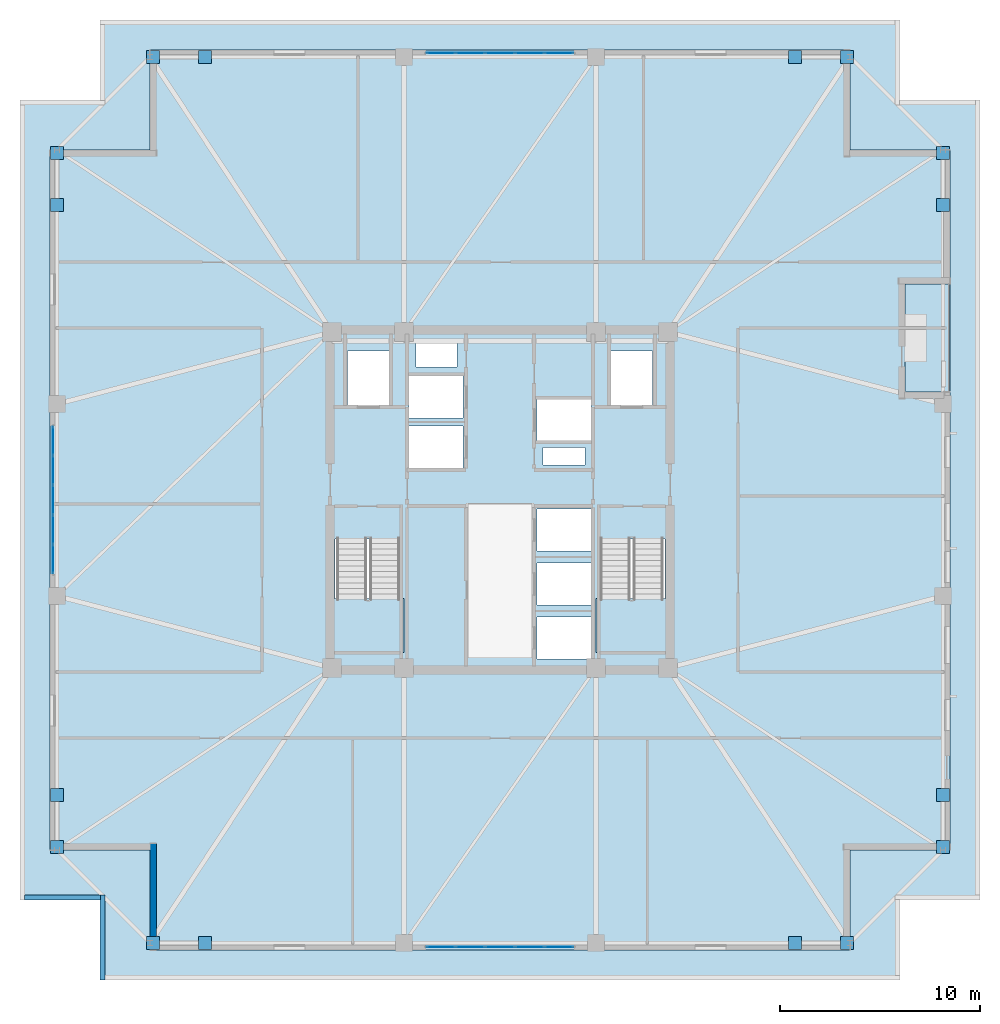
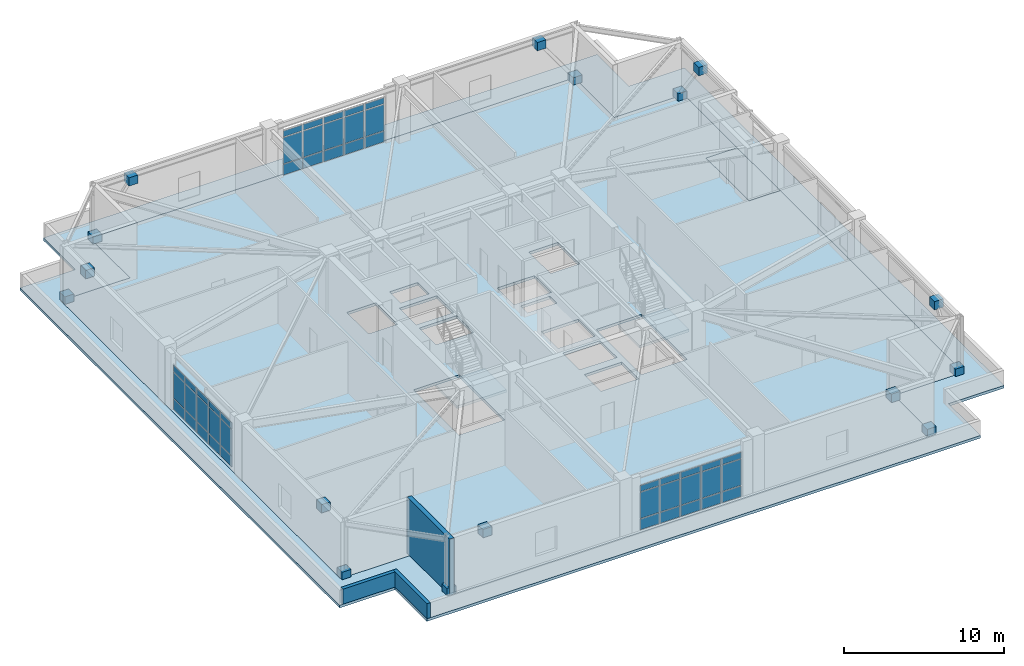
# One storey, part 10 of 18: 61 plates, 5 slabs, 3 walls, 5 elements without a shape of their own.
"""IFC4 building model written with IfcOpenShell, lengths in metres."""

from ifc_helpers import new_model, si_unit, direction, frame, frame_2d, origin, origin_2d, place, context, subcontext, project, spatial, polyline, rectangle, outline, extrude, material, layer, layer_set, type_object, element, aggregate, save


model = new_model("IFC4")

# Units and contexts
model_context = context("Model", 3, precision=1e-05, world=origin(), true_north=direction((0.0, 1.0)))
body_context = subcontext(model_context, "Body", "Model", "MODEL_VIEW")
ifc_project = project(units=[si_unit("LENGTHUNIT", "METRE"), si_unit("AREAUNIT", "SQUARE_METRE"), si_unit("VOLUMEUNIT", "CUBIC_METRE"), si_unit("PLANEANGLEUNIT", "RADIAN"), si_unit("MASSUNIT", "GRAM", prefix="KILO")], contexts=[model_context])

# Site, building, storey
site_placement = place(None, origin())
site = spatial("IfcSite", under=ifc_project, at=site_placement, CompositionType="ELEMENT")
building_placement = place(site_placement, origin())
building = spatial("IfcBuilding", under=site, at=building_placement, Name="Cairnveth Concourse Tower", CompositionType="ELEMENT")
storey_placement = place(building_placement, frame((0.0, 0.0, 198.0)))
storey = spatial("IfcBuildingStorey", under=building, at=storey_placement, Name="L54", CompositionType="ELEMENT", Elevation=198.0)

# Curtain wall, plates
ifc_material_1 = material(Name="Architectural Bronze Anodised Aluminium 6063-T6", Category="aluminium")
ifc_layer_1 = layer(ifc_material_1, 0.320068359375)
ifc_layer_set_1 = layer_set([ifc_layer_1], Name="Architectural Bronze Anodised Aluminium 6063-T6")
curtain_wall_type = type_object("IfcCurtainWallType", Name="SKY LOBBY WINTERGARDEN CURTAIN WALL", PredefinedType="USERDEFINED", material=ifc_layer_set_1)
curtain_wall_1_placement = place(storey_placement, origin())
curtain_wall_1 = element("IfcCurtainWall", 1, at=curtain_wall_1_placement, inside=storey, type_object=curtain_wall_type, Name="Curtain Wall CW-L54-F3", ObjectType="UNITISED FACADE", PredefinedType="USERDEFINED")
ifc_material_2 = material(Name="Double Glazed Low-E Clear Glass", Category="glass")
ifc_layer_2 = layer(ifc_material_2, 0.028076171875)
ifc_layer_set_2 = layer_set([ifc_layer_2], Name="Double Glazed Low-E Clear Glass")
plate_type_1 = type_object("IfcPlateType", Name="DOUBLE GLAZED LOW-E CURTAIN PANEL 28", PredefinedType="CURTAIN_PANEL", material=ifc_layer_set_2)
plate_1_placement = place(storey_placement, frame((54.955810546875, 16.659912109375, 0.06494140625), z_axis=(0.0, 0.0, 1.0), x_axis=(-1.0, 0.0, 0.0)))
plate_1 = element("IfcPlate", 2, at=plate_1_placement, type_object=plate_type_1, Name="CWS4 panel 1.1", PredefinedType="CURTAIN_PANEL", context=body_context, shape_type="SweptSolid", body=[
    extrude(rectangle(XDim=1.388427734375, YDim=0.028076171875, at=origin_2d()), origin(), (0.0, 0.0, 1.0), 0.802490234375),
])
plate_2_placement = place(storey_placement, frame((54.955810546875, 16.659912109375, 0.9326171875), z_axis=(0.0, 0.0, 1.0), x_axis=(-1.0, 0.0, 0.0)))
plate_2 = element("IfcPlate", 3, at=plate_2_placement, type_object=plate_type_1, Name="CWS4 panel 1.2", PredefinedType="CURTAIN_PANEL", context=body_context, shape_type="SweptSolid", body=[
    extrude(rectangle(XDim=1.388427734375, YDim=0.028076171875, at=origin_2d()), origin(), (0.0, 0.0, 1.0), 1.98291015625),
])
plate_3_placement = place(storey_placement, frame((54.955810546875, 16.659912109375, 2.98046875), z_axis=(0.0, 0.0, 1.0), x_axis=(-1.0, 0.0, 0.0)))
plate_3 = element("IfcPlate", 4, at=plate_3_placement, type_object=plate_type_1, Name="CWS4 panel 1.3", PredefinedType="CURTAIN_PANEL", context=body_context, shape_type="SweptSolid", body=[
    extrude(rectangle(XDim=1.388427734375, YDim=0.028076171875, at=origin_2d()), origin(), (0.0, 0.0, 1.0), 0.452392578125),
])
plate_4_placement = place(storey_placement, frame((53.486083984375, 16.659912109375, 0.06494140625), z_axis=(0.0, 0.0, 1.0), x_axis=(-1.0, 0.0, 0.0)))
plate_4 = element("IfcPlate", 5, at=plate_4_placement, type_object=plate_type_1, Name="CWS4 panel 2.1", PredefinedType="CURTAIN_PANEL", context=body_context, shape_type="SweptSolid", body=[
    extrude(rectangle(XDim=1.4208984375, YDim=0.028076171875, at=origin_2d()), origin(), (0.0, 0.0, 1.0), 0.802490234375),
])
plate_5_placement = place(storey_placement, frame((53.486083984375, 16.659912109375, 0.9326171875), z_axis=(0.0, 0.0, 1.0), x_axis=(-1.0, 0.0, 0.0)))
plate_5 = element("IfcPlate", 6, at=plate_5_placement, type_object=plate_type_1, Name="CWS4 panel 2.2", PredefinedType="CURTAIN_PANEL", context=body_context, shape_type="SweptSolid", body=[
    extrude(rectangle(XDim=1.4208984375, YDim=0.028076171875, at=origin_2d()), origin(), (0.0, 0.0, 1.0), 1.98291015625),
])
plate_6_placement = place(storey_placement, frame((53.486083984375, 16.659912109375, 2.98046875), z_axis=(0.0, 0.0, 1.0), x_axis=(-1.0, 0.0, 0.0)))
plate_6 = element("IfcPlate", 7, at=plate_6_placement, type_object=plate_type_1, Name="CWS4 panel 2.3", PredefinedType="CURTAIN_PANEL", context=body_context, shape_type="SweptSolid", body=[
    extrude(rectangle(XDim=1.4208984375, YDim=0.028076171875, at=origin_2d()), origin(), (0.0, 0.0, 1.0), 0.452392578125),
])
plate_7_placement = place(storey_placement, frame((52.0, 16.659912109375, 0.06494140625), z_axis=(0.0, 0.0, 1.0), x_axis=(-1.0, 0.0, 0.0)))
plate_7 = element("IfcPlate", 8, at=plate_7_placement, type_object=plate_type_1, Name="CWS4 panel 3.1", PredefinedType="CURTAIN_PANEL", context=body_context, shape_type="SweptSolid", body=[
    extrude(rectangle(XDim=1.4208984375, YDim=0.028076171875, at=origin_2d()), origin(), (0.0, 0.0, 1.0), 0.802490234375),
])
plate_8_placement = place(storey_placement, frame((52.0, 16.659912109375, 0.9326171875), z_axis=(0.0, 0.0, 1.0), x_axis=(-1.0, 0.0, 0.0)))
plate_8 = element("IfcPlate", 9, at=plate_8_placement, type_object=plate_type_1, Name="CWS4 panel 3.2", PredefinedType="CURTAIN_PANEL", context=body_context, shape_type="SweptSolid", body=[
    extrude(rectangle(XDim=1.4208984375, YDim=0.028076171875, at=origin_2d()), origin(), (0.0, 0.0, 1.0), 1.98291015625),
])
plate_9_placement = place(storey_placement, frame((52.0, 16.659912109375, 2.98046875), z_axis=(0.0, 0.0, 1.0), x_axis=(-1.0, 0.0, 0.0)))
plate_9 = element("IfcPlate", 10, at=plate_9_placement, type_object=plate_type_1, Name="CWS4 panel 3.3", PredefinedType="CURTAIN_PANEL", context=body_context, shape_type="SweptSolid", body=[
    extrude(rectangle(XDim=1.4208984375, YDim=0.028076171875, at=origin_2d()), origin(), (0.0, 0.0, 1.0), 0.452392578125),
])
plate_10_placement = place(storey_placement, frame((50.513916015625, 16.659912109375, 0.06494140625), z_axis=(0.0, 0.0, 1.0), x_axis=(-1.0, 0.0, 0.0)))
plate_10 = element("IfcPlate", 11, at=plate_10_placement, type_object=plate_type_1, Name="CWS4 panel 4.1", PredefinedType="CURTAIN_PANEL", context=body_context, shape_type="SweptSolid", body=[
    extrude(rectangle(XDim=1.4208984375, YDim=0.028076171875, at=origin_2d()), origin(), (0.0, 0.0, 1.0), 0.802490234375),
])
plate_11_placement = place(storey_placement, frame((50.513916015625, 16.659912109375, 0.9326171875), z_axis=(0.0, 0.0, 1.0), x_axis=(-1.0, 0.0, 0.0)))
plate_11 = element("IfcPlate", 12, at=plate_11_placement, type_object=plate_type_1, Name="CWS4 panel 4.2", PredefinedType="CURTAIN_PANEL", context=body_context, shape_type="SweptSolid", body=[
    extrude(rectangle(XDim=1.4208984375, YDim=0.028076171875, at=origin_2d()), origin(), (0.0, 0.0, 1.0), 1.98291015625),
])
plate_12_placement = place(storey_placement, frame((50.513916015625, 16.659912109375, 2.98046875), z_axis=(0.0, 0.0, 1.0), x_axis=(-1.0, 0.0, 0.0)))
plate_12 = element("IfcPlate", 13, at=plate_12_placement, type_object=plate_type_1, Name="CWS4 panel 4.3", PredefinedType="CURTAIN_PANEL", context=body_context, shape_type="SweptSolid", body=[
    extrude(rectangle(XDim=1.4208984375, YDim=0.028076171875, at=origin_2d()), origin(), (0.0, 0.0, 1.0), 0.452392578125),
])
plate_13_placement = place(storey_placement, frame((49.044189453125, 16.659912109375, 0.06494140625), z_axis=(0.0, 0.0, 1.0), x_axis=(-1.0, 0.0, 0.0)))
plate_13 = element("IfcPlate", 14, at=plate_13_placement, type_object=plate_type_1, Name="CWS4 panel 5.1", PredefinedType="CURTAIN_PANEL", context=body_context, shape_type="SweptSolid", body=[
    extrude(rectangle(XDim=1.388427734375, YDim=0.028076171875, at=origin_2d()), origin(), (0.0, 0.0, 1.0), 0.802490234375),
])
plate_14_placement = place(storey_placement, frame((49.044189453125, 16.659912109375, 0.9326171875), z_axis=(0.0, 0.0, 1.0), x_axis=(-1.0, 0.0, 0.0)))
plate_14 = element("IfcPlate", 15, at=plate_14_placement, type_object=plate_type_1, Name="CWS4 panel 5.2", PredefinedType="CURTAIN_PANEL", context=body_context, shape_type="SweptSolid", body=[
    extrude(rectangle(XDim=1.388427734375, YDim=0.028076171875, at=origin_2d()), origin(), (0.0, 0.0, 1.0), 1.98291015625),
])
plate_15_placement = place(storey_placement, frame((49.044189453125, 16.659912109375, 2.98046875), z_axis=(0.0, 0.0, 1.0), x_axis=(-1.0, 0.0, 0.0)))
plate_15 = element("IfcPlate", 16, at=plate_15_placement, type_object=plate_type_1, Name="CWS4 panel 5.3", PredefinedType="CURTAIN_PANEL", context=body_context, shape_type="SweptSolid", body=[
    extrude(rectangle(XDim=1.388427734375, YDim=0.028076171875, at=origin_2d()), origin(), (0.0, 0.0, 1.0), 0.452392578125),
])
aggregate(curtain_wall_1, [plate_1, plate_2, plate_3, plate_4, plate_5, plate_6, plate_7, plate_8, plate_9, plate_10, plate_11, plate_12, plate_13, plate_14, plate_15])

curtain_wall_2_placement = place(storey_placement, origin())
curtain_wall_2 = element("IfcCurtainWall", 17, at=curtain_wall_2_placement, inside=storey, type_object=curtain_wall_type, Name="Curtain Wall CW-L54-F6", ObjectType="UNITISED FACADE", PredefinedType="USERDEFINED")
plate_16_placement = place(storey_placement, frame((29.659912109375, 36.044189453125, 0.06494140625), z_axis=(0.0, 0.0, 1.0), x_axis=(0.0, 1.0, 0.0)))
plate_16 = element("IfcPlate", 18, at=plate_16_placement, type_object=plate_type_1, Name="CWS4 panel 1.1", PredefinedType="CURTAIN_PANEL", context=body_context, shape_type="SweptSolid", body=[
    extrude(rectangle(XDim=1.388427734375, YDim=0.028076171875, at=origin_2d()), origin(), (0.0, 0.0, 1.0), 0.802490234375),
])
plate_17_placement = place(storey_placement, frame((29.659912109375, 36.044189453125, 0.9326171875), z_axis=(0.0, 0.0, 1.0), x_axis=(0.0, 1.0, 0.0)))
plate_17 = element("IfcPlate", 19, at=plate_17_placement, type_object=plate_type_1, Name="CWS4 panel 1.2", PredefinedType="CURTAIN_PANEL", context=body_context, shape_type="SweptSolid", body=[
    extrude(rectangle(XDim=1.388427734375, YDim=0.028076171875, at=origin_2d()), origin(), (0.0, 0.0, 1.0), 1.98291015625),
])
plate_18_placement = place(storey_placement, frame((29.659912109375, 36.044189453125, 2.98046875), z_axis=(0.0, 0.0, 1.0), x_axis=(0.0, 1.0, 0.0)))
plate_18 = element("IfcPlate", 20, at=plate_18_placement, type_object=plate_type_1, Name="CWS4 panel 1.3", PredefinedType="CURTAIN_PANEL", context=body_context, shape_type="SweptSolid", body=[
    extrude(rectangle(XDim=1.388427734375, YDim=0.028076171875, at=origin_2d()), origin(), (0.0, 0.0, 1.0), 0.452392578125),
])
plate_19_placement = place(storey_placement, frame((29.659912109375, 37.513916015625, 0.06494140625), z_axis=(0.0, 0.0, 1.0), x_axis=(0.0, 1.0, 0.0)))
plate_19 = element("IfcPlate", 21, at=plate_19_placement, type_object=plate_type_1, Name="CWS4 panel 2.1", PredefinedType="CURTAIN_PANEL", context=body_context, shape_type="SweptSolid", body=[
    extrude(rectangle(XDim=1.4208984375, YDim=0.028076171875, at=origin_2d()), origin(), (0.0, 0.0, 1.0), 0.802490234375),
])
plate_20_placement = place(storey_placement, frame((29.659912109375, 37.513916015625, 0.9326171875), z_axis=(0.0, 0.0, 1.0), x_axis=(0.0, 1.0, 0.0)))
plate_20 = element("IfcPlate", 22, at=plate_20_placement, type_object=plate_type_1, Name="CWS4 panel 2.2", PredefinedType="CURTAIN_PANEL", context=body_context, shape_type="SweptSolid", body=[
    extrude(rectangle(XDim=1.4208984375, YDim=0.028076171875, at=origin_2d()), origin(), (0.0, 0.0, 1.0), 1.98291015625),
])
plate_21_placement = place(storey_placement, frame((29.659912109375, 37.513916015625, 2.98046875), z_axis=(0.0, 0.0, 1.0), x_axis=(0.0, 1.0, 0.0)))
plate_21 = element("IfcPlate", 23, at=plate_21_placement, type_object=plate_type_1, Name="CWS4 panel 2.3", PredefinedType="CURTAIN_PANEL", context=body_context, shape_type="SweptSolid", body=[
    extrude(rectangle(XDim=1.4208984375, YDim=0.028076171875, at=origin_2d()), origin(), (0.0, 0.0, 1.0), 0.452392578125),
])
plate_22_placement = place(storey_placement, frame((29.659912109375, 39.0, 0.06494140625), z_axis=(0.0, 0.0, 1.0), x_axis=(0.0, 1.0, 0.0)))
plate_22 = element("IfcPlate", 24, at=plate_22_placement, type_object=plate_type_1, Name="CWS4 panel 3.1", PredefinedType="CURTAIN_PANEL", context=body_context, shape_type="SweptSolid", body=[
    extrude(rectangle(XDim=1.4208984375, YDim=0.028076171875, at=origin_2d()), origin(), (0.0, 0.0, 1.0), 0.802490234375),
])
plate_23_placement = place(storey_placement, frame((29.659912109375, 39.0, 0.9326171875), z_axis=(0.0, 0.0, 1.0), x_axis=(0.0, 1.0, 0.0)))
plate_23 = element("IfcPlate", 25, at=plate_23_placement, type_object=plate_type_1, Name="CWS4 panel 3.2", PredefinedType="CURTAIN_PANEL", context=body_context, shape_type="SweptSolid", body=[
    extrude(rectangle(XDim=1.4208984375, YDim=0.028076171875, at=origin_2d()), origin(), (0.0, 0.0, 1.0), 1.98291015625),
])
plate_24_placement = place(storey_placement, frame((29.659912109375, 39.0, 2.98046875), z_axis=(0.0, 0.0, 1.0), x_axis=(0.0, 1.0, 0.0)))
plate_24 = element("IfcPlate", 26, at=plate_24_placement, type_object=plate_type_1, Name="CWS4 panel 3.3", PredefinedType="CURTAIN_PANEL", context=body_context, shape_type="SweptSolid", body=[
    extrude(rectangle(XDim=1.4208984375, YDim=0.028076171875, at=origin_2d()), origin(), (0.0, 0.0, 1.0), 0.452392578125),
])
plate_25_placement = place(storey_placement, frame((29.659912109375, 40.486083984375, 0.06494140625), z_axis=(0.0, 0.0, 1.0), x_axis=(0.0, 1.0, 0.0)))
plate_25 = element("IfcPlate", 27, at=plate_25_placement, type_object=plate_type_1, Name="CWS4 panel 4.1", PredefinedType="CURTAIN_PANEL", context=body_context, shape_type="SweptSolid", body=[
    extrude(rectangle(XDim=1.4208984375, YDim=0.028076171875, at=origin_2d()), origin(), (0.0, 0.0, 1.0), 0.802490234375),
])
plate_26_placement = place(storey_placement, frame((29.659912109375, 40.486083984375, 0.9326171875), z_axis=(0.0, 0.0, 1.0), x_axis=(0.0, 1.0, 0.0)))
plate_26 = element("IfcPlate", 28, at=plate_26_placement, type_object=plate_type_1, Name="CWS4 panel 4.2", PredefinedType="CURTAIN_PANEL", context=body_context, shape_type="SweptSolid", body=[
    extrude(rectangle(XDim=1.4208984375, YDim=0.028076171875, at=origin_2d()), origin(), (0.0, 0.0, 1.0), 1.98291015625),
])
plate_27_placement = place(storey_placement, frame((29.659912109375, 40.486083984375, 2.98046875), z_axis=(0.0, 0.0, 1.0), x_axis=(0.0, 1.0, 0.0)))
plate_27 = element("IfcPlate", 29, at=plate_27_placement, type_object=plate_type_1, Name="CWS4 panel 4.3", PredefinedType="CURTAIN_PANEL", context=body_context, shape_type="SweptSolid", body=[
    extrude(rectangle(XDim=1.4208984375, YDim=0.028076171875, at=origin_2d()), origin(), (0.0, 0.0, 1.0), 0.452392578125),
])
plate_28_placement = place(storey_placement, frame((29.659912109375, 41.955810546875, 0.06494140625), z_axis=(0.0, 0.0, 1.0), x_axis=(0.0, 1.0, 0.0)))
plate_28 = element("IfcPlate", 30, at=plate_28_placement, type_object=plate_type_1, Name="CWS4 panel 5.1", PredefinedType="CURTAIN_PANEL", context=body_context, shape_type="SweptSolid", body=[
    extrude(rectangle(XDim=1.388427734375, YDim=0.028076171875, at=origin_2d()), origin(), (0.0, 0.0, 1.0), 0.802490234375),
])
plate_29_placement = place(storey_placement, frame((29.659912109375, 41.955810546875, 0.9326171875), z_axis=(0.0, 0.0, 1.0), x_axis=(0.0, 1.0, 0.0)))
plate_29 = element("IfcPlate", 31, at=plate_29_placement, type_object=plate_type_1, Name="CWS4 panel 5.2", PredefinedType="CURTAIN_PANEL", context=body_context, shape_type="SweptSolid", body=[
    extrude(rectangle(XDim=1.388427734375, YDim=0.028076171875, at=origin_2d()), origin(), (0.0, 0.0, 1.0), 1.98291015625),
])
plate_30_placement = place(storey_placement, frame((29.659912109375, 41.955810546875, 2.98046875), z_axis=(0.0, 0.0, 1.0), x_axis=(0.0, 1.0, 0.0)))
plate_30 = element("IfcPlate", 32, at=plate_30_placement, type_object=plate_type_1, Name="CWS4 panel 5.3", PredefinedType="CURTAIN_PANEL", context=body_context, shape_type="SweptSolid", body=[
    extrude(rectangle(XDim=1.388427734375, YDim=0.028076171875, at=origin_2d()), origin(), (0.0, 0.0, 1.0), 0.452392578125),
])
aggregate(curtain_wall_2, [plate_16, plate_17, plate_18, plate_19, plate_20, plate_21, plate_22, plate_23, plate_24, plate_25, plate_26, plate_27, plate_28, plate_29, plate_30])

curtain_wall_3_placement = place(storey_placement, origin())
curtain_wall_3 = element("IfcCurtainWall", 33, at=curtain_wall_3_placement, inside=storey, type_object=curtain_wall_type, Name="Curtain Wall CW-L54-F9", ObjectType="UNITISED FACADE", PredefinedType="USERDEFINED")
plate_31_placement = place(storey_placement, frame((49.044189453125, 61.340087890625, 0.06494140625), z_axis=(0.0, 0.0, 1.0), x_axis=(1.0, 0.0, 0.0)))
plate_31 = element("IfcPlate", 34, at=plate_31_placement, type_object=plate_type_1, Name="CWS4 panel 1.1", PredefinedType="CURTAIN_PANEL", context=body_context, shape_type="SweptSolid", body=[
    extrude(rectangle(XDim=1.388427734375, YDim=0.028076171875, at=origin_2d()), origin(), (0.0, 0.0, 1.0), 0.802490234375),
])
plate_32_placement = place(storey_placement, frame((49.044189453125, 61.340087890625, 0.9326171875), z_axis=(0.0, 0.0, 1.0), x_axis=(1.0, 0.0, 0.0)))
plate_32 = element("IfcPlate", 35, at=plate_32_placement, type_object=plate_type_1, Name="CWS4 panel 1.2", PredefinedType="CURTAIN_PANEL", context=body_context, shape_type="SweptSolid", body=[
    extrude(rectangle(XDim=1.388427734375, YDim=0.028076171875, at=origin_2d()), origin(), (0.0, 0.0, 1.0), 1.98291015625),
])
plate_33_placement = place(storey_placement, frame((49.044189453125, 61.340087890625, 2.98046875), z_axis=(0.0, 0.0, 1.0), x_axis=(1.0, 0.0, 0.0)))
plate_33 = element("IfcPlate", 36, at=plate_33_placement, type_object=plate_type_1, Name="CWS4 panel 1.3", PredefinedType="CURTAIN_PANEL", context=body_context, shape_type="SweptSolid", body=[
    extrude(rectangle(XDim=1.388427734375, YDim=0.028076171875, at=origin_2d()), origin(), (0.0, 0.0, 1.0), 0.452392578125),
])
plate_34_placement = place(storey_placement, frame((50.513916015625, 61.340087890625, 0.06494140625), z_axis=(0.0, 0.0, 1.0), x_axis=(1.0, 0.0, 0.0)))
plate_34 = element("IfcPlate", 37, at=plate_34_placement, type_object=plate_type_1, Name="CWS4 panel 2.1", PredefinedType="CURTAIN_PANEL", context=body_context, shape_type="SweptSolid", body=[
    extrude(rectangle(XDim=1.4208984375, YDim=0.028076171875, at=origin_2d()), origin(), (0.0, 0.0, 1.0), 0.802490234375),
])
plate_35_placement = place(storey_placement, frame((50.513916015625, 61.340087890625, 0.9326171875), z_axis=(0.0, 0.0, 1.0), x_axis=(1.0, 0.0, 0.0)))
plate_35 = element("IfcPlate", 38, at=plate_35_placement, type_object=plate_type_1, Name="CWS4 panel 2.2", PredefinedType="CURTAIN_PANEL", context=body_context, shape_type="SweptSolid", body=[
    extrude(rectangle(XDim=1.4208984375, YDim=0.028076171875, at=origin_2d()), origin(), (0.0, 0.0, 1.0), 1.98291015625),
])
plate_36_placement = place(storey_placement, frame((50.513916015625, 61.340087890625, 2.98046875), z_axis=(0.0, 0.0, 1.0), x_axis=(1.0, 0.0, 0.0)))
plate_36 = element("IfcPlate", 39, at=plate_36_placement, type_object=plate_type_1, Name="CWS4 panel 2.3", PredefinedType="CURTAIN_PANEL", context=body_context, shape_type="SweptSolid", body=[
    extrude(rectangle(XDim=1.4208984375, YDim=0.028076171875, at=origin_2d()), origin(), (0.0, 0.0, 1.0), 0.452392578125),
])
plate_37_placement = place(storey_placement, frame((52.0, 61.340087890625, 0.06494140625), z_axis=(0.0, 0.0, 1.0), x_axis=(1.0, 0.0, 0.0)))
plate_37 = element("IfcPlate", 40, at=plate_37_placement, type_object=plate_type_1, Name="CWS4 panel 3.1", PredefinedType="CURTAIN_PANEL", context=body_context, shape_type="SweptSolid", body=[
    extrude(rectangle(XDim=1.4208984375, YDim=0.028076171875, at=origin_2d()), origin(), (0.0, 0.0, 1.0), 0.802490234375),
])
plate_38_placement = place(storey_placement, frame((52.0, 61.340087890625, 0.9326171875), z_axis=(0.0, 0.0, 1.0), x_axis=(1.0, 0.0, 0.0)))
plate_38 = element("IfcPlate", 41, at=plate_38_placement, type_object=plate_type_1, Name="CWS4 panel 3.2", PredefinedType="CURTAIN_PANEL", context=body_context, shape_type="SweptSolid", body=[
    extrude(rectangle(XDim=1.4208984375, YDim=0.028076171875, at=origin_2d()), origin(), (0.0, 0.0, 1.0), 1.98291015625),
])
plate_39_placement = place(storey_placement, frame((52.0, 61.340087890625, 2.98046875), z_axis=(0.0, 0.0, 1.0), x_axis=(1.0, 0.0, 0.0)))
plate_39 = element("IfcPlate", 42, at=plate_39_placement, type_object=plate_type_1, Name="CWS4 panel 3.3", PredefinedType="CURTAIN_PANEL", context=body_context, shape_type="SweptSolid", body=[
    extrude(rectangle(XDim=1.4208984375, YDim=0.028076171875, at=origin_2d()), origin(), (0.0, 0.0, 1.0), 0.452392578125),
])
plate_40_placement = place(storey_placement, frame((53.486083984375, 61.340087890625, 0.06494140625), z_axis=(0.0, 0.0, 1.0), x_axis=(1.0, 0.0, 0.0)))
plate_40 = element("IfcPlate", 43, at=plate_40_placement, type_object=plate_type_1, Name="CWS4 panel 4.1", PredefinedType="CURTAIN_PANEL", context=body_context, shape_type="SweptSolid", body=[
    extrude(rectangle(XDim=1.4208984375, YDim=0.028076171875, at=origin_2d()), origin(), (0.0, 0.0, 1.0), 0.802490234375),
])
plate_41_placement = place(storey_placement, frame((53.486083984375, 61.340087890625, 0.9326171875), z_axis=(0.0, 0.0, 1.0), x_axis=(1.0, 0.0, 0.0)))
plate_41 = element("IfcPlate", 44, at=plate_41_placement, type_object=plate_type_1, Name="CWS4 panel 4.2", PredefinedType="CURTAIN_PANEL", context=body_context, shape_type="SweptSolid", body=[
    extrude(rectangle(XDim=1.4208984375, YDim=0.028076171875, at=origin_2d()), origin(), (0.0, 0.0, 1.0), 1.98291015625),
])
plate_42_placement = place(storey_placement, frame((53.486083984375, 61.340087890625, 2.98046875), z_axis=(0.0, 0.0, 1.0), x_axis=(1.0, 0.0, 0.0)))
plate_42 = element("IfcPlate", 45, at=plate_42_placement, type_object=plate_type_1, Name="CWS4 panel 4.3", PredefinedType="CURTAIN_PANEL", context=body_context, shape_type="SweptSolid", body=[
    extrude(rectangle(XDim=1.4208984375, YDim=0.028076171875, at=origin_2d()), origin(), (0.0, 0.0, 1.0), 0.452392578125),
])
plate_43_placement = place(storey_placement, frame((54.955810546875, 61.340087890625, 0.06494140625), z_axis=(0.0, 0.0, 1.0), x_axis=(1.0, 0.0, 0.0)))
plate_43 = element("IfcPlate", 46, at=plate_43_placement, type_object=plate_type_1, Name="CWS4 panel 5.1", PredefinedType="CURTAIN_PANEL", context=body_context, shape_type="SweptSolid", body=[
    extrude(rectangle(XDim=1.388427734375, YDim=0.028076171875, at=origin_2d()), origin(), (0.0, 0.0, 1.0), 0.802490234375),
])
plate_44_placement = place(storey_placement, frame((54.955810546875, 61.340087890625, 0.9326171875), z_axis=(0.0, 0.0, 1.0), x_axis=(1.0, 0.0, 0.0)))
plate_44 = element("IfcPlate", 47, at=plate_44_placement, type_object=plate_type_1, Name="CWS4 panel 5.2", PredefinedType="CURTAIN_PANEL", context=body_context, shape_type="SweptSolid", body=[
    extrude(rectangle(XDim=1.388427734375, YDim=0.028076171875, at=origin_2d()), origin(), (0.0, 0.0, 1.0), 1.98291015625),
])
plate_45_placement = place(storey_placement, frame((54.955810546875, 61.340087890625, 2.98046875), z_axis=(0.0, 0.0, 1.0), x_axis=(1.0, 0.0, 0.0)))
plate_45 = element("IfcPlate", 48, at=plate_45_placement, type_object=plate_type_1, Name="CWS4 panel 5.3", PredefinedType="CURTAIN_PANEL", context=body_context, shape_type="SweptSolid", body=[
    extrude(rectangle(XDim=1.388427734375, YDim=0.028076171875, at=origin_2d()), origin(), (0.0, 0.0, 1.0), 0.452392578125),
])
aggregate(curtain_wall_3, [plate_31, plate_32, plate_33, plate_34, plate_35, plate_36, plate_37, plate_38, plate_39, plate_40, plate_41, plate_42, plate_43, plate_44, plate_45])

# Plates
ifc_material_3 = material(Name="Steel Grade 350", Category="steel")
ifc_layer_3 = layer(ifc_material_3, 0.031982421875)
ifc_layer_set_3 = layer_set([ifc_layer_3], Name="Steel Grade 350")
plate_type_2 = type_object("IfcPlateType", Name="PERIMETER BRACE GUSSET PLATE 32", PredefinedType="USERDEFINED", material=ifc_layer_set_3)
for number, where, z_axis, x_axis, name in (
    (49, (34.64990234375, 16.85009765625, -0.06982421875), (0.0, 0.0, 1.0), (1.0, 0.0, 0.0), "Structural Node Plate 0949 L54"),
    (50, (37.25, 16.85009765625, 3.52001953125), (0.0, 0.0, 1.0), (1.0, 0.0, 0.0), "Structural Node Plate 0950 L54"),
    (51, (69.35009765625, 16.85009765625, -0.06982421875), (0.0, 0.0, 1.0), (1.0, 0.0, 0.0), "Structural Node Plate 0951 L54"),
    (52, (66.75, 16.85009765625, 3.52001953125), (0.0, 0.0, 1.0), (1.0, 0.0, 0.0), "Structural Node Plate 0952 L54"),
    (53, (34.64990234375, 61.14990234375, -0.06982421875), (0.0, 0.0, 1.0), (1.0, 0.0, 0.0), "Structural Node Plate 0953 L54"),
    (54, (37.25, 61.14990234375, 3.52001953125), (0.0, 0.0, 1.0), (1.0, 0.0, 0.0), "Structural Node Plate 0954 L54"),
    (55, (69.35009765625, 61.14990234375, -0.06982421875), (0.0, 0.0, 1.0), (1.0, 0.0, 0.0), "Structural Node Plate 0955 L54"),
    (56, (66.75, 61.14990234375, 3.52001953125), (0.0, 0.0, 1.0), (1.0, 0.0, 0.0), "Structural Node Plate 0956 L54"),
    (57, (29.85009765625, 21.64990234375, -0.06982421875), (0.0, 0.0, 1.0), (1.0, 0.0, 0.0), "Structural Node Plate 0957 L54"),
    (58, (29.85009765625, 24.25, 3.52001953125), (0.0, 0.0, 1.0), (1.0, 0.0, 0.0), "Structural Node Plate 0958 L54"),
    (59, (29.85009765625, 56.35009765625, -0.06982421875), (0.0, 0.0, 1.0), (1.0, 0.0, 0.0), "Structural Node Plate 0959 L54"),
    (60, (29.85009765625, 53.75, 3.52001953125), (0.0, 0.0, 1.0), (1.0, 0.0, 0.0), "Structural Node Plate 0960 L54"),
    (61, (74.14990234375, 21.64990234375, -0.06982421875), (0.0, 0.0, 1.0), (1.0, 0.0, 0.0), "Structural Node Plate 0961 L54"),
    (62, (74.14990234375, 24.25, 3.52001953125), (0.0, 0.0, 1.0), (1.0, 0.0, 0.0), "Structural Node Plate 0962 L54"),
    (63, (74.14990234375, 56.35009765625, -0.06982421875), (0.0, 0.0, 1.0), (1.0, 0.0, 0.0), "Structural Node Plate 0963 L54"),
    (64, (74.14990234375, 53.75, 3.52001953125), (0.0, 0.0, 1.0), (1.0, 0.0, 0.0), "Structural Node Plate 0964 L54"),
):
    element("IfcPlate", number, at=place(storey_placement, frame(where, z_axis=z_axis, x_axis=x_axis)), inside=storey, type_object=plate_type_2, Name=name, ObjectType="GUSSET PLATE", PredefinedType="USERDEFINED", context=body_context, shape_type="SweptSolid", body=[
        extrude(rectangle(XDim=0.639892578125, YDim=0.639892578125, at=origin_2d()), origin(), (0.0, 0.0, 1.0), 0.639892578125),
    ])

# Slabs
ifc_material_4 = material(Name="Concrete N50 (50 MPa)", Category="concrete")
ifc_layer_4 = layer(ifc_material_4, 0.205078125)
ifc_layer_set_4 = layer_set([ifc_layer_4], Name="Concrete N50 (50 MPa)")
slab_type_1 = type_object("IfcSlabType", Name="SETBACK MAINTENANCE ROOF SLAB 205", PredefinedType="ROOF", material=ifc_layer_set_4)
slab_1_placement = place(storey_placement, frame((0.0, 0.0, -0.205078125)))
element("IfcSlab", 65, at=slab_1_placement, inside=storey, type_object=slab_type_1, Name="Setback Maintenance Roof Slab L54", PredefinedType="ROOF", context=body_context, shape_type="SweptSolid", body=[
    extrude(outline(polyline([(32.0, 15.0), (72.0, 15.0), (72.0, 19.0), (76.0, 19.0), (76.0, 59.0), (72.0, 59.0), (72.0, 63.0), (32.0, 63.0), (32.0, 59.0), (28.0, 59.0), (28.0, 19.0), (32.0, 19.0), (32.0, 15.0)]), holes=[polyline([(34.5, 16.5), (69.5, 16.5), (69.5, 21.5), (74.5, 21.5), (74.5, 56.5), (69.5, 56.5), (69.5, 61.5), (34.5, 61.5), (34.5, 56.5), (29.5, 56.5), (29.5, 21.5), (34.5, 21.5), (34.5, 16.5)])]), origin(), (0.0, 0.0, 1.0), 0.205078125),
])
ifc_layer_5 = layer(ifc_material_4, 0.18994140625)
ifc_layer_set_5 = layer_set([ifc_layer_5], Name="Concrete N50 (50 MPa)")
slab_type_2 = type_object("IfcSlabType", Name="SPIRAL OUTDOOR TERRACE SLAB 190", PredefinedType="FLOOR", material=ifc_layer_set_5)
slab_2_placement = place(storey_placement, frame((0.0, 0.0, -0.18994140625)))
element("IfcSlab", 66, at=slab_2_placement, inside=storey, type_object=slab_type_2, Name="Spiral Terrace Slab L54", PredefinedType="FLOOR", context=body_context, shape_type="SweptSolid", body=[
    extrude(outline(polyline([(72.25, 44.39990234375), (74.5, 44.39990234375), (74.5, 49.800048828125), (72.25, 49.800048828125), (72.25, 44.39990234375)])), origin(), (0.0, 0.0, 1.0), 0.18994140625),
])

# Stair, slab
ifc_material_5 = material(Name="Precast concrete N50 (50 MPa)", Category="concrete")
stair_type = type_object("IfcStairType", Name="CORE DOG-LEG FIRE STAIR 1500", PredefinedType="HALF_TURN_STAIR", material=ifc_material_5)
stair_1_placement = place(storey_placement, origin())
stair_1 = element("IfcStair", 67, at=stair_1_placement, inside=storey, type_object=stair_type, Name="L54 Fire-Isolated Stair ST-1", PredefinedType="HALF_TURN_STAIR")
ifc_layer_6 = layer(ifc_material_4, 0.199951171875)
ifc_layer_set_6 = layer_set([ifc_layer_6], Name="Concrete N50 (50 MPa)")
slab_type_3 = type_object("IfcSlabType", Name="STAIR HALF LANDING SLAB 200", PredefinedType="LANDING", material=ifc_layer_set_6)
slab_3_placement = place(storey_placement, frame((0.0, 0.0, 2.050048828125)))
slab_3 = element("IfcSlab", 68, at=slab_3_placement, type_object=slab_type_3, Name="ST-1 landing 1", PredefinedType="LANDING", context=body_context, shape_type="SweptSolid", body=[
    extrude(outline(polyline([(43.6201171875, 34.080078125), (43.6201171875, 31.3701171875), (47.199951171875, 31.3701171875), (47.199951171875, 34.080078125), (43.6201171875, 34.080078125)])), origin(), (0.0, 0.0, 1.0), 0.199951171875),
])
aggregate(stair_1, [slab_3])

stair_2_placement = place(storey_placement, origin())
stair_2 = element("IfcStair", 69, at=stair_2_placement, inside=storey, type_object=stair_type, Name="L54 Fire-Isolated Stair ST-2", PredefinedType="HALF_TURN_STAIR")
slab_4_placement = place(storey_placement, frame((0.0, 0.0, 2.050048828125)))
slab_4 = element("IfcSlab", 70, at=slab_4_placement, type_object=slab_type_3, Name="ST-2 landing 1", PredefinedType="LANDING", context=body_context, shape_type="SweptSolid", body=[
    extrude(outline(polyline([(56.800048828125, 34.080078125), (56.800048828125, 31.3701171875), (60.3798828125, 31.3701171875), (60.3798828125, 34.080078125), (56.800048828125, 34.080078125)])), origin(), (0.0, 0.0, 1.0), 0.199951171875),
])
aggregate(stair_2, [slab_4])

# Slab
ifc_layer_7 = layer(ifc_material_4, 0.2099609375)
ifc_layer_set_7 = layer_set([ifc_layer_7], Name="Concrete N50 (50 MPa)")
slab_type_4 = type_object("IfcSlabType", Name="UPPER TOWER COMPOSITE SLAB 210", PredefinedType="FLOOR", material=ifc_layer_set_7)
slab_5_placement = place(storey_placement, frame((0.0, 0.0, -0.2099609375)))
element("IfcSlab", 71, at=slab_5_placement, inside=storey, type_object=slab_type_4, Name="Tower Floor Slab L54", PredefinedType="FLOOR", context=body_context, shape_type="SweptSolid", body=[
    extrude(outline(polyline([(74.5, 44.39990234375), (72.25, 44.39990234375), (72.25, 49.800048828125), (74.5, 49.800048828125), (74.5, 56.5), (69.5, 56.5), (69.5, 61.5), (34.5, 61.5), (34.5, 56.5), (29.5, 56.5), (29.5, 21.5), (34.5, 21.5), (34.5, 16.5), (69.5, 16.5), (69.5, 21.5), (74.5, 21.5), (74.5, 44.39990234375)]), holes=[polyline([(43.760009765625, 31.360107421875), (47.06005859375, 31.360107421875), (47.06005859375, 37.0400390625), (43.760009765625, 37.0400390625), (43.760009765625, 31.360107421875)]), polyline([(56.93994140625, 31.360107421875), (60.239990234375, 31.360107421875), (60.239990234375, 37.0400390625), (56.93994140625, 37.0400390625), (56.93994140625, 31.360107421875)]), polyline([(44.3701171875, 43.75), (46.469970703125, 43.75), (46.469970703125, 46.449951171875), (44.3701171875, 46.449951171875), (44.3701171875, 43.75)]), polyline([(57.530029296875, 43.75), (59.6298828125, 43.75), (59.6298828125, 46.449951171875), (57.530029296875, 46.449951171875), (57.530029296875, 43.75)]), polyline([(53.85009765625, 31.050048828125), (56.550048828125, 31.050048828125), (56.550048828125, 33.14990234375), (53.85009765625, 33.14990234375), (53.85009765625, 31.050048828125)]), polyline([(53.85009765625, 33.75), (56.550048828125, 33.75), (56.550048828125, 35.85009765625), (53.85009765625, 35.85009765625), (53.85009765625, 33.75)]), polyline([(53.85009765625, 36.449951171875), (56.550048828125, 36.449951171875), (56.550048828125, 38.550048828125), (53.85009765625, 38.550048828125), (53.85009765625, 36.449951171875)]), polyline([(47.449951171875, 40.60009765625), (50.14990234375, 40.60009765625), (50.14990234375, 42.699951171875), (47.449951171875, 42.699951171875), (47.449951171875, 40.60009765625)]), polyline([(47.449951171875, 43.10009765625), (50.14990234375, 43.10009765625), (50.14990234375, 45.199951171875), (47.449951171875, 45.199951171875), (47.449951171875, 43.10009765625)]), polyline([(53.85009765625, 41.949951171875), (56.550048828125, 41.949951171875), (56.550048828125, 44.050048828125), (53.85009765625, 44.050048828125), (53.85009765625, 41.949951171875)]), polyline([(47.800048828125, 45.64990234375), (49.85009765625, 45.64990234375), (49.85009765625, 47.050048828125), (47.800048828125, 47.050048828125), (47.800048828125, 45.64990234375)]), polyline([(54.14990234375, 40.75), (56.25, 40.75), (56.25, 41.6201171875), (54.14990234375, 41.6201171875), (54.14990234375, 40.75)])]), origin(), (0.0, 0.0, 1.0), 0.2099609375),
])

# Walls
ifc_material_6 = material(Name="Hawthorn Red-Ochre Fired Clay Brick Masonry", Category="masonry")
ifc_layer_8 = layer(ifc_material_6, 0.25)
ifc_layer_set_8 = layer_set([ifc_layer_8], Name="Hawthorn Red-Ochre Fired Clay Brick Masonry")
wall_type_1 = type_object("IfcWallType", Name="ROOF MASONRY PARAPET WALL 250", PredefinedType="PARAPET", material=ifc_layer_set_8)
wall_1_placement = place(storey_placement, frame((32.125, 15.0, 0.0), z_axis=(0.0, 0.0, 1.0), x_axis=(0.0, 1.0, 0.0)))
element("IfcWall", 72, at=wall_1_placement, inside=storey, type_object=wall_type_1, Name="Exterior Wall EP-L54-SB00", PredefinedType="PARAPET", context=body_context, shape_type="SweptSolid", body=[
    extrude(rectangle(XDim=4.25, YDim=0.25, at=frame_2d((2.125, 0.0))), origin(), (0.0, 0.0, 1.0), 1.14990234375),
])
wall_2_placement = place(storey_placement, frame((32.02197265625, 19.125, 0.0), z_axis=(0.0, 0.0, 1.0), x_axis=(-1.0, 0.0, 0.0)))
element("IfcWall", 73, at=wall_2_placement, inside=storey, type_object=wall_type_1, Name="Exterior Wall EP-L54-SB01", PredefinedType="PARAPET", context=body_context, shape_type="SweptSolid", body=[
    extrude(rectangle(XDim=3.7939453125, YDim=0.25, at=frame_2d((1.89697265625, 0.0))), origin(), (0.0, 0.0, 1.0), 1.14990234375),
])
ifc_material_7 = material(Name="Melbourne Buff Fired Clay Brick Masonry", Category="masonry")
ifc_layer_9 = layer(ifc_material_7, 0.320068359375)
ifc_layer_set_9 = layer_set([ifc_layer_9], Name="Melbourne Buff Fired Clay Brick Masonry")
wall_type_2 = type_object("IfcWallType", Name="ZONE 3 BRICK PIER SPANDREL WALL 320", PredefinedType="SOLIDWALL", material=ifc_layer_set_9)
wall_3_placement = place(storey_placement, frame((34.659912109375, 16.5, 0.0), z_axis=(0.0, 0.0, 1.0), x_axis=(0.0, 1.0, 0.0)))
element("IfcWall", 74, at=wall_3_placement, inside=storey, type_object=wall_type_2, Name="Exterior Wall EW-L54-S04", PredefinedType="SOLIDWALL", context=body_context, shape_type="SweptSolid", body=[
    extrude(rectangle(XDim=5.320068359375, YDim=0.320068359375, at=frame_2d((2.66015625, 0.0))), origin(), (0.0, 0.0, 1.0), 4.2900390625),
])

save(model, "model.ifc")
